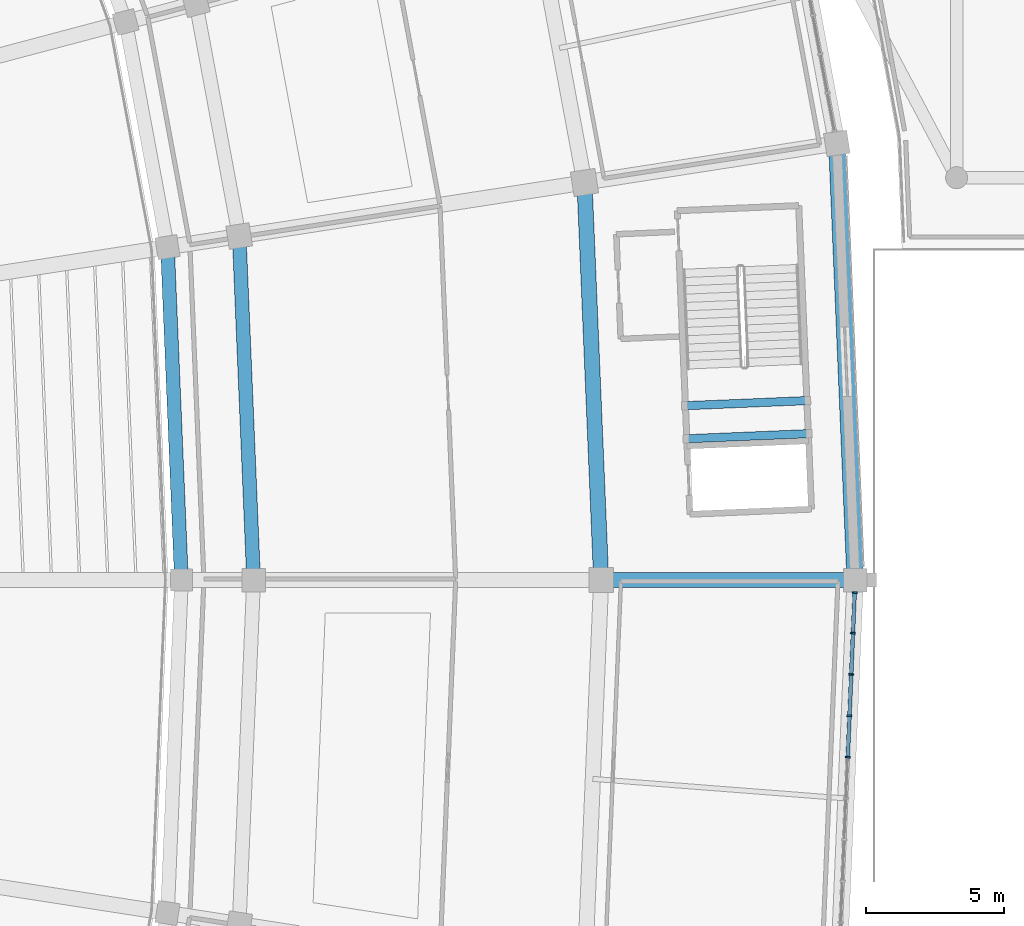
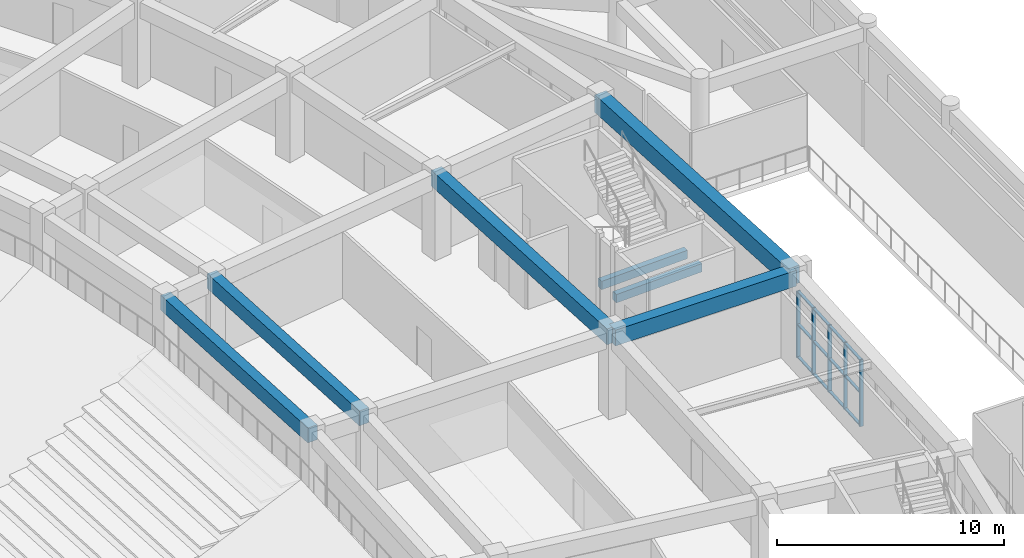
# One storey, part 49 of 152: 17 members, 7 beams, 1 element without a shape of its own.
"""IFC4 building model written with IfcOpenShell, lengths in metres."""

from ifc_helpers import new_model, si_unit, direction, frame, origin, origin_2d, place, context, subcontext, project, spatial, rectangle, extrude, material, layer, layer_set, material_profile, profile_set, type_object, element, aggregate, save


model = new_model("IFC4")

# Units and contexts
model_context = context("Model", 3, precision=1e-05, world=origin(), true_north=direction((0.0, 1.0)))
body_context = subcontext(model_context, "Body", "Model", "MODEL_VIEW")
ifc_project = project(units=[si_unit("LENGTHUNIT", "METRE"), si_unit("AREAUNIT", "SQUARE_METRE"), si_unit("VOLUMEUNIT", "CUBIC_METRE"), si_unit("PLANEANGLEUNIT", "RADIAN"), si_unit("MASSUNIT", "GRAM", prefix="KILO")], contexts=[model_context])

# Site, building, storey
site_placement = place(None, origin())
site = spatial("IfcSite", under=ifc_project, at=site_placement, CompositionType="ELEMENT")
building_placement = place(site_placement, origin())
building = spatial("IfcBuilding", under=site, at=building_placement, Name="Mphavela Belvedere Stadium", CompositionType="ELEMENT")
storey_placement = place(building_placement, frame((0.0, 0.0, 5.39990234375)))
storey = spatial("IfcBuildingStorey", under=building, at=storey_placement, Name="L01", CompositionType="ELEMENT", Elevation=5.39990234375)

# Beams
ifc_material_1 = material(Name="Concrete C40/50", Category="concrete")
ifc_material_profile_1 = material_profile(ifc_material_1, rectangle(XDim=0.60009765625, YDim=0.949951171875, at=origin_2d()), Name="RC 600x950")
ifc_profile_set_1 = profile_set([ifc_material_profile_1], Name="Concrete C40/50")
beam_type_1 = type_object("IfcBeamType", Name="BM-ENTABLATURE-950", PredefinedType="SPANDREL", material=ifc_profile_set_1)
beam_1_placement = place(storey_placement, frame((217.820068359375, 87.0, 4.0751953125), z_axis=(-0.041903963155, 0.999121643181, 0.0), x_axis=(-0.999121643181, -0.041903963155, 0.0)))
element("IfcBeam", 1, at=beam_1_placement, inside=storey, type_object=beam_type_1, Name="Circumferential girder L01 R4-01", PredefinedType="SPANDREL", context=body_context, shape_type="SweptSolid", body=[
    extrude(rectangle(XDim=0.60009765625, YDim=0.949951171875, at=origin_2d()), origin(), (0.0, 0.0, 1.0), 15.85888671875),
])
ifc_material_2 = material(Name="Concrete C40/50", Category="concrete")
ifc_material_profile_2 = material_profile(ifc_material_2, rectangle(XDim=0.300048828125, YDim=0.449951171875, at=origin_2d()), Name="RC 300x450")
ifc_profile_set_2 = profile_set([ifc_material_profile_2], Name="Concrete C40/50")
beam_type_2 = type_object("IfcBeamType", Name="BM-RC300x450", PredefinedType="BEAM", material=ifc_profile_set_2)
for number, where, z_axis, x_axis, name in (
    (2, (211.632080078125, 93.325439453125, 1.97509765625), (0.999122153252, 0.04189179968, 0.0), (-0.04189179968, 0.999122153252, 0.0), "Core C01 landing trimmer beam L01-1"),
    (3, (211.682373046875, 92.12646484375, 1.97509765625), (0.999122153252, 0.04189179968, 0.0), (-0.04189179968, 0.999122153252, 0.0), "Core C01 landing trimmer beam L01-2"),
):
    element("IfcBeam", number, at=place(storey_placement, frame(where, z_axis=z_axis, x_axis=x_axis)), inside=storey, type_object=beam_type_2, Name=name, PredefinedType="BEAM", context=body_context, shape_type="SweptSolid", body=[
        extrude(rectangle(XDim=0.300048828125, YDim=0.449951171875, at=origin_2d()), origin(), (0.0, 0.0, 1.0), 4.469970703125),
    ])
ifc_material_3 = material(Name="Concrete C40/50", Category="concrete")
ifc_material_profile_3 = material_profile(ifc_material_3, rectangle(XDim=0.5, YDim=0.800048828125, at=origin_2d()), Name="RC 500x800")
ifc_profile_set_3 = profile_set([ifc_material_profile_3], Name="Concrete C40/50")
beam_type_3 = type_object("IfcBeamType", Name="BM-RC500x800", PredefinedType="BEAM", material=ifc_profile_set_3)
beam_2_placement = place(storey_placement, frame((193.3759765625, 87.0, 4.150146484375), z_axis=(-0.041906072647, 0.999121554705, 0.0), x_axis=(-0.999121554705, -0.041906072647, 0.0)))
element("IfcBeam", 4, at=beam_2_placement, inside=storey, type_object=beam_type_3, Name="Circumferential girder L01 R1-01", PredefinedType="BEAM", context=body_context, shape_type="SweptSolid", body=[
    extrude(rectangle(XDim=0.5, YDim=0.800048828125, at=origin_2d()), origin(), (0.0, 0.0, 1.0), 12.088623046875),
])
beam_3_placement = place(storey_placement, frame((195.9951171875, 87.0, 4.150146484375), z_axis=(-0.04191911123, 0.999121007743, 0.0), x_axis=(-0.999121007743, -0.04191911123, 0.0)))
element("IfcBeam", 5, at=beam_3_placement, inside=storey, type_object=beam_type_3, Name="Circumferential girder L01 R2-01", PredefinedType="BEAM", context=body_context, shape_type="SweptSolid", body=[
    extrude(rectangle(XDim=0.5, YDim=0.800048828125, at=origin_2d()), origin(), (0.0, 0.0, 1.0), 12.49267578125),
])
ifc_material_4 = material(Name="Concrete C40/50", Category="concrete")
ifc_material_profile_4 = material_profile(ifc_material_4, rectangle(XDim=0.550048828125, YDim=0.85009765625, at=origin_2d()), Name="RC 550x850")
ifc_profile_set_4 = profile_set([ifc_material_profile_4], Name="Concrete C40/50")
beam_type_4 = type_object("IfcBeamType", Name="BM-RC550x850", PredefinedType="BEAM", material=ifc_profile_set_4)
beam_4_placement = place(storey_placement, frame((208.60498046875, 87.0, 4.125), z_axis=(-0.041903450766, 0.99912166467, 0.0), x_axis=(-0.99912166467, -0.041903450766, 0.0)))
element("IfcBeam", 6, at=beam_4_placement, inside=storey, type_object=beam_type_4, Name="Circumferential girder L01 R3-01", PredefinedType="BEAM", context=body_context, shape_type="SweptSolid", body=[
    extrude(rectangle(XDim=0.550048828125, YDim=0.85009765625, at=origin_2d()), origin(), (0.0, 0.0, 1.0), 14.4375),
])
beam_5_placement = place(storey_placement, frame((208.60498046875, 87.0, 4.125), z_axis=(1.0, 0.0, 0.0), x_axis=(0.0, 1.0, 0.0)))
element("IfcBeam", 7, at=beam_5_placement, inside=storey, type_object=beam_type_4, Name="Radial concourse girder L01 R3R4-01", PredefinedType="BEAM", context=body_context, shape_type="SweptSolid", body=[
    extrude(rectangle(XDim=0.550048828125, YDim=0.85009765625, at=origin_2d()), origin(), (0.0, 0.0, 1.0), 9.215087890625),
])

# Curtain wall, members
ifc_material_5 = material(Name="Anodised bronze unitised curtain wall framing")
ifc_layer = layer(ifc_material_5, 0.205078125)
ifc_layer_set = layer_set([ifc_layer], Name="Anodised bronze unitised curtain wall framing")
curtain_wall_type = type_object("IfcCurtainWallType", Name="CW-UNIT-06", PredefinedType="USERDEFINED", material=ifc_layer_set)
curtain_wall_placement = place(storey_placement, origin())
curtain_wall = element("IfcCurtainWall", 8, at=curtain_wall_placement, inside=storey, type_object=curtain_wall_type, Name="Belvedere colonnade curtain wall L01-48", ObjectType="UNITISED CURTAIN WALL", PredefinedType="USERDEFINED")
ifc_material_6 = material(Name="Anodised bronze extruded aluminium", Category="aluminium")
ifc_material_profile_5 = material_profile(ifc_material_6, rectangle(XDim=0.179931640625, YDim=0.06494140625, at=origin_2d()), Name="CW-MUL 180x65")
ifc_profile_set_5 = profile_set([ifc_material_profile_5], Name="Anodised bronze extruded aluminium")
member_type_1 = type_object("IfcMemberType", Name="CWM-180x65", PredefinedType="MULLION", material=ifc_profile_set_5)
member_1_placement = place(storey_placement, frame((217.550537109375, 80.577392578125, 0.0), z_axis=(0.0, 0.0, 1.0), x_axis=(-0.999121374449, 0.04191037006, 0.0)))
member_1 = element("IfcMember", 9, at=member_1_placement, type_object=member_type_1, Name="CW-06 mullion 7", PredefinedType="MULLION", context=body_context, shape_type="SweptSolid", body=[
    extrude(rectangle(XDim=0.179931640625, YDim=0.06494140625, at=origin_2d()), origin(), (0.0, 0.0, 1.0), 3.570068359375),
])
member_2_placement = place(storey_placement, frame((217.613525390625, 82.077392578125, 0.0), z_axis=(0.0, 0.0, 1.0), x_axis=(-0.999121374449, 0.04191037006, 0.0)))
member_2 = element("IfcMember", 10, at=member_2_placement, type_object=member_type_1, Name="CW-06 mullion 8", PredefinedType="MULLION", context=body_context, shape_type="SweptSolid", body=[
    extrude(rectangle(XDim=0.179931640625, YDim=0.06494140625, at=origin_2d()), origin(), (0.0, 0.0, 1.0), 3.570068359375),
])
member_3_placement = place(storey_placement, frame((217.676513671875, 83.577392578125, 0.0), z_axis=(0.0, 0.0, 1.0), x_axis=(-0.999121374449, 0.04191037006, 0.0)))
member_3 = element("IfcMember", 11, at=member_3_placement, type_object=member_type_1, Name="CW-06 mullion 9", PredefinedType="MULLION", context=body_context, shape_type="SweptSolid", body=[
    extrude(rectangle(XDim=0.179931640625, YDim=0.06494140625, at=origin_2d()), origin(), (0.0, 0.0, 1.0), 3.570068359375),
])
member_4_placement = place(storey_placement, frame((217.739501953125, 85.077392578125, 0.0), z_axis=(0.0, 0.0, 1.0), x_axis=(-0.999121374449, 0.04191037006, 0.0)))
member_4 = element("IfcMember", 12, at=member_4_placement, type_object=member_type_1, Name="CW-06 mullion 10", PredefinedType="MULLION", context=body_context, shape_type="SweptSolid", body=[
    extrude(rectangle(XDim=0.179931640625, YDim=0.06494140625, at=origin_2d()), origin(), (0.0, 0.0, 1.0), 3.570068359375),
])
member_5_placement = place(storey_placement, frame((217.801025390625, 86.544921875, 0.0), z_axis=(0.0, 0.0, 1.0), x_axis=(-0.999121374449, 0.04191037006, 0.0)))
member_5 = element("IfcMember", 13, at=member_5_placement, type_object=member_type_1, Name="CW-06 mullion 11", PredefinedType="MULLION", context=body_context, shape_type="SweptSolid", body=[
    extrude(rectangle(XDim=0.179931640625, YDim=0.06494140625, at=origin_2d()), origin(), (0.0, 0.0, 1.0), 3.570068359375),
])
ifc_material_7 = material(Name="Anodised bronze extruded aluminium", Category="aluminium")
ifc_material_profile_6 = material_profile(ifc_material_7, rectangle(XDim=0.139892578125, YDim=0.06005859375, at=origin_2d()), Name="CW-TRN 140x60")
ifc_profile_set_6 = profile_set([ifc_material_profile_6], Name="Anodised bronze extruded aluminium")
member_type_2 = type_object("IfcMemberType", Name="CWT-140x60", PredefinedType="USERDEFINED", material=ifc_profile_set_6)
member_6_placement = place(storey_placement, frame((217.552001953125, 80.60986328125, 0.030029296875), z_axis=(0.04181436673, 0.999125396902, 0.0), x_axis=(-0.999125396902, 0.04181436673, 0.0)))
member_6 = element("IfcMember", 14, at=member_6_placement, type_object=member_type_2, Name="CW-06 transom 7.1", ObjectType="TRANSOM", PredefinedType="USERDEFINED", context=body_context, shape_type="SweptSolid", body=[
    extrude(rectangle(XDim=0.139892578125, YDim=0.06005859375, at=origin_2d()), origin(), (0.0, 0.0, 1.0), 1.436279296875),
])
member_7_placement = place(storey_placement, frame((217.552001953125, 80.60986328125, 1.78515625), z_axis=(0.04181436673, 0.999125396902, 0.0), x_axis=(-0.999125396902, 0.04181436673, 0.0)))
member_7 = element("IfcMember", 15, at=member_7_placement, type_object=member_type_2, Name="CW-06 transom 7.2", ObjectType="TRANSOM", PredefinedType="USERDEFINED", context=body_context, shape_type="SweptSolid", body=[
    extrude(rectangle(XDim=0.139892578125, YDim=0.06005859375, at=origin_2d()), origin(), (0.0, 0.0, 1.0), 1.436279296875),
])
member_8_placement = place(storey_placement, frame((217.552001953125, 80.60986328125, 3.5400390625), z_axis=(0.04181436673, 0.999125396902, 0.0), x_axis=(-0.999125396902, 0.04181436673, 0.0)))
member_8 = element("IfcMember", 16, at=member_8_placement, type_object=member_type_2, Name="CW-06 transom 7.3", ObjectType="TRANSOM", PredefinedType="USERDEFINED", context=body_context, shape_type="SweptSolid", body=[
    extrude(rectangle(XDim=0.139892578125, YDim=0.06005859375, at=origin_2d()), origin(), (0.0, 0.0, 1.0), 1.436279296875),
])
member_9_placement = place(storey_placement, frame((217.614990234375, 82.10986328125, 0.030029296875), z_axis=(0.04181436673, 0.999125396902, 0.0), x_axis=(-0.999125396902, 0.04181436673, 0.0)))
member_9 = element("IfcMember", 17, at=member_9_placement, type_object=member_type_2, Name="CW-06 transom 8.1", ObjectType="TRANSOM", PredefinedType="USERDEFINED", context=body_context, shape_type="SweptSolid", body=[
    extrude(rectangle(XDim=0.139892578125, YDim=0.06005859375, at=origin_2d()), origin(), (0.0, 0.0, 1.0), 1.436279296875),
])
member_10_placement = place(storey_placement, frame((217.614990234375, 82.10986328125, 1.78515625), z_axis=(0.04181436673, 0.999125396902, 0.0), x_axis=(-0.999125396902, 0.04181436673, 0.0)))
member_10 = element("IfcMember", 18, at=member_10_placement, type_object=member_type_2, Name="CW-06 transom 8.2", ObjectType="TRANSOM", PredefinedType="USERDEFINED", context=body_context, shape_type="SweptSolid", body=[
    extrude(rectangle(XDim=0.139892578125, YDim=0.06005859375, at=origin_2d()), origin(), (0.0, 0.0, 1.0), 1.436279296875),
])
member_11_placement = place(storey_placement, frame((217.614990234375, 82.10986328125, 3.5400390625), z_axis=(0.04181436673, 0.999125396902, 0.0), x_axis=(-0.999125396902, 0.04181436673, 0.0)))
member_11 = element("IfcMember", 19, at=member_11_placement, type_object=member_type_2, Name="CW-06 transom 8.3", ObjectType="TRANSOM", PredefinedType="USERDEFINED", context=body_context, shape_type="SweptSolid", body=[
    extrude(rectangle(XDim=0.139892578125, YDim=0.06005859375, at=origin_2d()), origin(), (0.0, 0.0, 1.0), 1.436279296875),
])
member_12_placement = place(storey_placement, frame((217.677734375, 83.60986328125, 0.030029296875), z_axis=(0.041984044824, 0.999118281276, 0.0), x_axis=(-0.999118281276, 0.041984044824, 0.0)))
member_12 = element("IfcMember", 20, at=member_12_placement, type_object=member_type_2, Name="CW-06 transom 9.1", ObjectType="TRANSOM", PredefinedType="USERDEFINED", context=body_context, shape_type="SweptSolid", body=[
    extrude(rectangle(XDim=0.139892578125, YDim=0.06005859375, at=origin_2d()), origin(), (0.0, 0.0, 1.0), 1.436279296875),
])
member_13_placement = place(storey_placement, frame((217.677734375, 83.60986328125, 1.78515625), z_axis=(0.041984044824, 0.999118281276, 0.0), x_axis=(-0.999118281276, 0.041984044824, 0.0)))
member_13 = element("IfcMember", 21, at=member_13_placement, type_object=member_type_2, Name="CW-06 transom 9.2", ObjectType="TRANSOM", PredefinedType="USERDEFINED", context=body_context, shape_type="SweptSolid", body=[
    extrude(rectangle(XDim=0.139892578125, YDim=0.06005859375, at=origin_2d()), origin(), (0.0, 0.0, 1.0), 1.436279296875),
])
member_14_placement = place(storey_placement, frame((217.677734375, 83.60986328125, 3.5400390625), z_axis=(0.041984044824, 0.999118281276, 0.0), x_axis=(-0.999118281276, 0.041984044824, 0.0)))
member_14 = element("IfcMember", 22, at=member_14_placement, type_object=member_type_2, Name="CW-06 transom 9.3", ObjectType="TRANSOM", PredefinedType="USERDEFINED", context=body_context, shape_type="SweptSolid", body=[
    extrude(rectangle(XDim=0.139892578125, YDim=0.06005859375, at=origin_2d()), origin(), (0.0, 0.0, 1.0), 1.436279296875),
])
member_15_placement = place(storey_placement, frame((217.74072265625, 85.10986328125, 0.030029296875), z_axis=(0.041912659373, 0.999121278416, 0.0), x_axis=(-0.999121278416, 0.041912659373, 0.0)))
member_15 = element("IfcMember", 23, at=member_15_placement, type_object=member_type_2, Name="CW-06 transom 10.1", ObjectType="TRANSOM", PredefinedType="USERDEFINED", context=body_context, shape_type="SweptSolid", body=[
    extrude(rectangle(XDim=0.139892578125, YDim=0.06005859375, at=origin_2d()), origin(), (0.0, 0.0, 1.0), 1.40380859375),
])
member_16_placement = place(storey_placement, frame((217.74072265625, 85.10986328125, 1.78515625), z_axis=(0.041912659373, 0.999121278416, 0.0), x_axis=(-0.999121278416, 0.041912659373, 0.0)))
member_16 = element("IfcMember", 24, at=member_16_placement, type_object=member_type_2, Name="CW-06 transom 10.2", ObjectType="TRANSOM", PredefinedType="USERDEFINED", context=body_context, shape_type="SweptSolid", body=[
    extrude(rectangle(XDim=0.139892578125, YDim=0.06005859375, at=origin_2d()), origin(), (0.0, 0.0, 1.0), 1.40380859375),
])
member_17_placement = place(storey_placement, frame((217.74072265625, 85.10986328125, 3.5400390625), z_axis=(0.041912659373, 0.999121278416, 0.0), x_axis=(-0.999121278416, 0.041912659373, 0.0)))
member_17 = element("IfcMember", 25, at=member_17_placement, type_object=member_type_2, Name="CW-06 transom 10.3", ObjectType="TRANSOM", PredefinedType="USERDEFINED", context=body_context, shape_type="SweptSolid", body=[
    extrude(rectangle(XDim=0.139892578125, YDim=0.06005859375, at=origin_2d()), origin(), (0.0, 0.0, 1.0), 1.40380859375),
])
aggregate(curtain_wall, [member_1, member_2, member_3, member_4, member_5, member_6, member_7, member_8, member_9, member_10, member_11, member_12, member_13, member_14, member_15, member_16, member_17])

save(model, "model.ifc")
